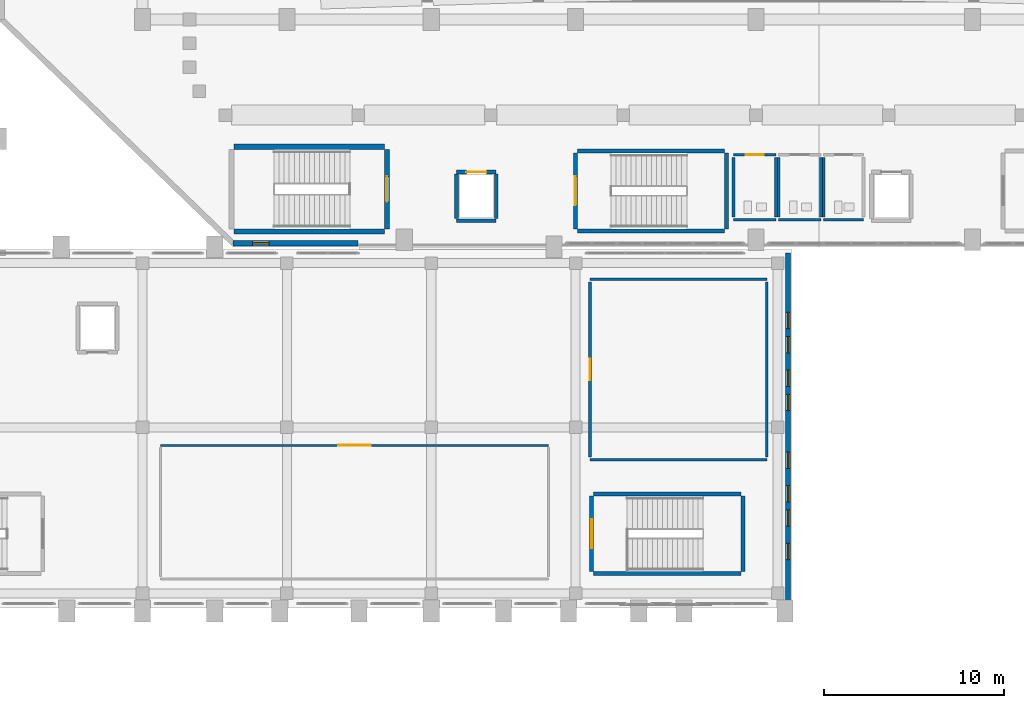
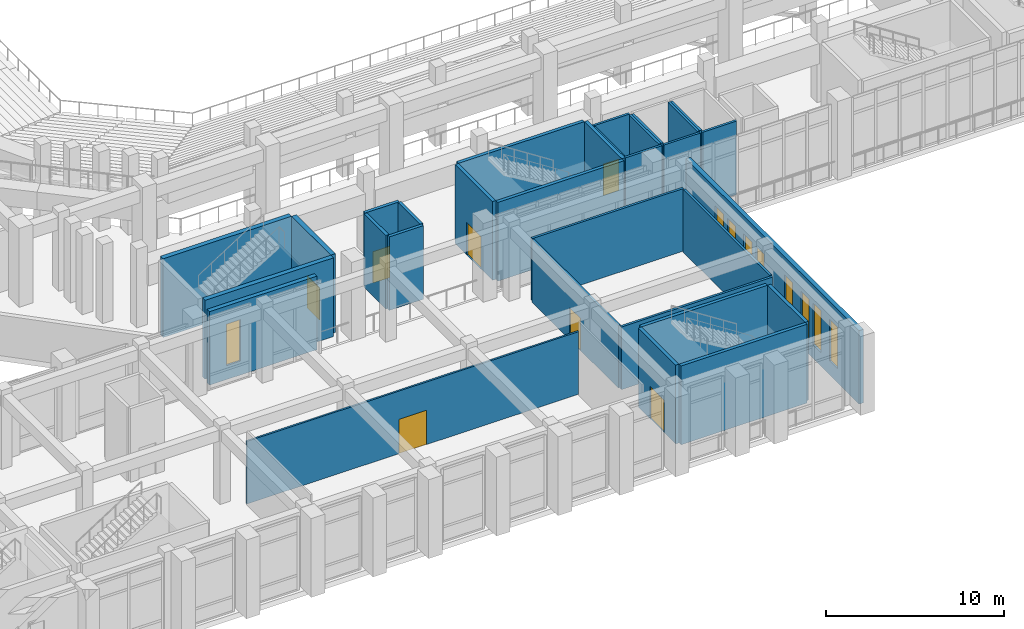
# One storey, part 125 of 159: 31 walls, 9 windows, 7 doors, 16 openings.
"""IFC4 building model written with IfcOpenShell, lengths in metres."""

from ifc_helpers import new_model, si_unit, derived_unit, direction, frame, frame_2d, origin, place, context, subcontext, project, spatial, rectangle, extrude, material, layer, layer_set, type_object, element, fill, save


model = new_model("IFC4")

# Units and contexts
model_context = context("Model", 3, precision=1e-05, world=origin(), true_north=direction((0.0, 1.0)))
body_context = subcontext(model_context, "Body", "Model", "MODEL_VIEW")
ifc_project = project(units=[si_unit("LENGTHUNIT", "METRE"), si_unit("AREAUNIT", "SQUARE_METRE"), si_unit("VOLUMEUNIT", "CUBIC_METRE"), si_unit("PLANEANGLEUNIT", "RADIAN"), si_unit("MASSUNIT", "GRAM", prefix="KILO"), derived_unit("THERMALTRANSMITTANCEUNIT", [(si_unit("MASSUNIT", "GRAM", prefix="KILO"), 1), (si_unit("TIMEUNIT", "SECOND"), -3), (si_unit("THERMODYNAMICTEMPERATUREUNIT", "KELVIN"), -1)])], contexts=[model_context])

# Site, building, storey
site_placement = place(None, origin())
site = spatial("IfcSite", under=ifc_project, at=site_placement, CompositionType="ELEMENT")
building_placement = place(site_placement, origin())
building = spatial("IfcBuilding", under=site, at=building_placement, Name="Valcora Ridge Arena", CompositionType="ELEMENT")
storey_placement = place(building_placement, frame((0.0, 0.0, 6.0)))
storey = spatial("IfcBuildingStorey", under=building, at=storey_placement, Name="L01", CompositionType="ELEMENT", Elevation=6.0)

# Wall, opening, window
ifc_material_1 = material(Name="Bush-hammered Andean travertine on concrete backup C40/50", Category="masonry")
ifc_layer_1 = layer(ifc_material_1, 0.280029296875, Name="Bush-hammered Andean travertine on concrete backup C40/50")
ifc_layer_set_1 = layer_set([ifc_layer_1], Name="Bush-hammered Andean travertine on concrete backup C40/50")
wall_type_1 = type_object("IfcWallType", Name="TY-WALL-EW-TRV-28-50", PredefinedType="STANDARD", material=ifc_layer_set_1)
wall_1_placement = place(storey_placement, frame((29.0, 20.199951171875, 0.0), z_axis=(0.0, 0.0, 1.0), x_axis=(1.0, 0.0, 0.0)))
wall_1 = element("IfcWall", 1, at=wall_1_placement, inside=storey, type_object=wall_type_1, Name="EW-TRV-28-50 WAL-EW-0042", PredefinedType="STANDARD", context=body_context, shape_type="SweptSolid", body=[
    extrude(rectangle(XDim=6.949951171875, YDim=0.280029296875, at=frame_2d((3.47509765625, 0.0))), origin(), (0.0, 0.0, 1.0), 5.0400390625),
])
opening_1_placement = place(wall_1_placement, frame((1.10009765625, 0.0, 0.949951171875)))
opening_1 = element("IfcOpeningElement", 2, at=opening_1_placement, cuts=wall_1, Name="Opening W-GLAN-90X285", PredefinedType="OPENING", context=body_context, shape_type="SweptSolid", body=[
    extrude(rectangle(XDim=0.89990234375, YDim=2.85009765625, at=frame_2d((0.449951171875, 1.425048828125))), frame((0.0, 0.14990234375, 0.0), z_axis=(0.0, -1.0, 0.0), x_axis=(1.0, 0.0, 0.0)), (0.0, 0.0, 1.0), 0.300048828125),
])
ifc_material_2 = material(Name="Low-iron solar-control double glazing SHGC 0.28", Category="glass")
window_type = type_object("IfcWindowType", Name="TY-WINDOW-W-GLAN-90X285", PartitioningType="DOUBLE_PANEL_VERTICAL", PredefinedType="WINDOW", material=ifc_material_2)
window_1_placement = place(opening_1_placement, origin())
window_1 = element("IfcWindow", 3, at=window_1_placement, inside=storey, type_object=window_type, Name="W-GLAN-90X285 WIN-EX-0088", OverallHeight=2.85009765625, OverallWidth=0.89990234375, PartitioningType="DOUBLE_PANEL_VERTICAL", PredefinedType="WINDOW", context=body_context, shape_type="SweptSolid", body=[
    extrude(rectangle(XDim=0.89990234375, YDim=2.85009765625, at=frame_2d((0.449951171875, 1.425048828125))), frame((0.0, 0.030029296875, 0.0), z_axis=(0.0, -1.0, 0.0), x_axis=(1.0, 0.0, 0.0)), (0.0, 0.0, 1.0), 0.06005859375),
])
fill(opening_1, window_1)

# Wall, openings, windows
wall_2_placement = place(storey_placement, frame((59.780029296875, 0.219970703125, 0.0), z_axis=(0.0, 0.0, 1.0), x_axis=(0.0, 1.0, 0.0)))
wall_2 = element("IfcWall", 4, at=wall_2_placement, inside=storey, type_object=wall_type_1, Name="EW-TRV-28-50 WAL-EW-0079", PredefinedType="STANDARD", context=body_context, shape_type="SweptSolid", body=[
    extrude(rectangle(XDim=19.429931640625, YDim=0.280029296875, at=frame_2d((9.71484375, 0.0))), origin(), (0.0, 0.0, 1.0), 5.0400390625),
])
opening_2_placement = place(wall_2_placement, frame((2.449951171875, 0.0, 0.949951171875)))
opening_2 = element("IfcOpeningElement", 5, at=opening_2_placement, cuts=wall_2, Name="Opening W-GLAN-90X285", PredefinedType="OPENING", context=body_context, shape_type="SweptSolid", body=[
    extrude(rectangle(XDim=0.89990234375, YDim=2.85009765625, at=frame_2d((0.449951171875, 1.425048828125))), frame((0.0, 0.14990234375, 0.0), z_axis=(0.0, -1.0, 0.0), x_axis=(1.0, 0.0, 0.0)), (0.0, 0.0, 1.0), 0.300048828125),
])
opening_3_placement = place(wall_2_placement, frame((4.300048828125, 0.0, 0.949951171875)))
opening_3 = element("IfcOpeningElement", 6, at=opening_3_placement, cuts=wall_2, Name="Opening W-GLAN-90X285", PredefinedType="OPENING", context=body_context, shape_type="SweptSolid", body=[
    extrude(rectangle(XDim=0.89990234375, YDim=2.85009765625, at=frame_2d((0.449951171875, 1.425048828125))), frame((0.0, 0.14990234375, 0.0), z_axis=(0.0, -1.0, 0.0), x_axis=(1.0, 0.0, 0.0)), (0.0, 0.0, 1.0), 0.300048828125),
])
opening_4_placement = place(wall_2_placement, frame((5.64990234375, 0.0, 0.949951171875)))
opening_4 = element("IfcOpeningElement", 7, at=opening_4_placement, cuts=wall_2, Name="Opening W-GLAN-90X285", PredefinedType="OPENING", context=body_context, shape_type="SweptSolid", body=[
    extrude(rectangle(XDim=0.89990234375, YDim=2.85009765625, at=frame_2d((0.449951171875, 1.425048828125))), frame((0.0, 0.14990234375, 0.0), z_axis=(0.0, -1.0, 0.0), x_axis=(1.0, 0.0, 0.0)), (0.0, 0.0, 1.0), 0.300048828125),
])
opening_5_placement = place(wall_2_placement, frame((7.5, 0.0, 0.949951171875)))
opening_5 = element("IfcOpeningElement", 8, at=opening_5_placement, cuts=wall_2, Name="Opening W-GLAN-90X285", PredefinedType="OPENING", context=body_context, shape_type="SweptSolid", body=[
    extrude(rectangle(XDim=0.89990234375, YDim=2.85009765625, at=frame_2d((0.449951171875, 1.425048828125))), frame((0.0, 0.14990234375, 0.0), z_axis=(0.0, -1.0, 0.0), x_axis=(1.0, 0.0, 0.0)), (0.0, 0.0, 1.0), 0.300048828125),
])
opening_6_placement = place(wall_2_placement, frame((10.699951171875, 0.0, 0.949951171875)))
opening_6 = element("IfcOpeningElement", 9, at=opening_6_placement, cuts=wall_2, Name="Opening W-GLAN-90X285", PredefinedType="OPENING", context=body_context, shape_type="SweptSolid", body=[
    extrude(rectangle(XDim=0.89990234375, YDim=2.85009765625, at=frame_2d((0.449951171875, 1.425048828125))), frame((0.0, 0.14990234375, 0.0), z_axis=(0.0, -1.0, 0.0), x_axis=(1.0, 0.0, 0.0)), (0.0, 0.0, 1.0), 0.300048828125),
])
opening_7_placement = place(wall_2_placement, frame((12.050048828125, 0.0, 0.949951171875)))
opening_7 = element("IfcOpeningElement", 10, at=opening_7_placement, cuts=wall_2, Name="Opening W-GLAN-90X285", PredefinedType="OPENING", context=body_context, shape_type="SweptSolid", body=[
    extrude(rectangle(XDim=0.89990234375, YDim=2.85009765625, at=frame_2d((0.449951171875, 1.425048828125))), frame((0.0, 0.14990234375, 0.0), z_axis=(0.0, -1.0, 0.0), x_axis=(1.0, 0.0, 0.0)), (0.0, 0.0, 1.0), 0.300048828125),
])
opening_8_placement = place(wall_2_placement, frame((13.89990234375, 0.0, 0.949951171875)))
opening_8 = element("IfcOpeningElement", 11, at=opening_8_placement, cuts=wall_2, Name="Opening W-GLAN-90X285", PredefinedType="OPENING", context=body_context, shape_type="SweptSolid", body=[
    extrude(rectangle(XDim=0.89990234375, YDim=2.85009765625, at=frame_2d((0.449951171875, 1.425048828125))), frame((0.0, 0.14990234375, 0.0), z_axis=(0.0, -1.0, 0.0), x_axis=(1.0, 0.0, 0.0)), (0.0, 0.0, 1.0), 0.300048828125),
])
opening_9_placement = place(wall_2_placement, frame((15.25, 0.0, 0.949951171875)))
opening_9 = element("IfcOpeningElement", 12, at=opening_9_placement, cuts=wall_2, Name="Opening W-GLAN-90X285", PredefinedType="OPENING", context=body_context, shape_type="SweptSolid", body=[
    extrude(rectangle(XDim=0.89990234375, YDim=2.85009765625, at=frame_2d((0.449951171875, 1.425048828125))), frame((0.0, 0.14990234375, 0.0), z_axis=(0.0, -1.0, 0.0), x_axis=(1.0, 0.0, 0.0)), (0.0, 0.0, 1.0), 0.300048828125),
])
window_2_placement = place(opening_2_placement, origin())
window_2 = element("IfcWindow", 13, at=window_2_placement, inside=storey, type_object=window_type, Name="W-GLAN-90X285 WIN-EX-0214", OverallHeight=2.85009765625, OverallWidth=0.89990234375, PartitioningType="DOUBLE_PANEL_VERTICAL", PredefinedType="WINDOW", context=body_context, shape_type="SweptSolid", body=[
    extrude(rectangle(XDim=0.89990234375, YDim=2.85009765625, at=frame_2d((0.449951171875, 1.425048828125))), frame((0.0, 0.030029296875, 0.0), z_axis=(0.0, -1.0, 0.0), x_axis=(1.0, 0.0, 0.0)), (0.0, 0.0, 1.0), 0.06005859375),
])
fill(opening_2, window_2)
window_3_placement = place(opening_3_placement, origin())
window_3 = element("IfcWindow", 14, at=window_3_placement, inside=storey, type_object=window_type, Name="W-GLAN-90X285 WIN-EX-0215", OverallHeight=2.85009765625, OverallWidth=0.89990234375, PartitioningType="DOUBLE_PANEL_VERTICAL", PredefinedType="WINDOW", context=body_context, shape_type="SweptSolid", body=[
    extrude(rectangle(XDim=0.89990234375, YDim=2.85009765625, at=frame_2d((0.449951171875, 1.425048828125))), frame((0.0, 0.030029296875, 0.0), z_axis=(0.0, -1.0, 0.0), x_axis=(1.0, 0.0, 0.0)), (0.0, 0.0, 1.0), 0.06005859375),
])
fill(opening_3, window_3)
window_4_placement = place(opening_4_placement, origin())
window_4 = element("IfcWindow", 15, at=window_4_placement, inside=storey, type_object=window_type, Name="W-GLAN-90X285 WIN-EX-0216", OverallHeight=2.85009765625, OverallWidth=0.89990234375, PartitioningType="DOUBLE_PANEL_VERTICAL", PredefinedType="WINDOW", context=body_context, shape_type="SweptSolid", body=[
    extrude(rectangle(XDim=0.89990234375, YDim=2.85009765625, at=frame_2d((0.449951171875, 1.425048828125))), frame((0.0, 0.030029296875, 0.0), z_axis=(0.0, -1.0, 0.0), x_axis=(1.0, 0.0, 0.0)), (0.0, 0.0, 1.0), 0.06005859375),
])
fill(opening_4, window_4)
window_5_placement = place(opening_5_placement, origin())
window_5 = element("IfcWindow", 16, at=window_5_placement, inside=storey, type_object=window_type, Name="W-GLAN-90X285 WIN-EX-0217", OverallHeight=2.85009765625, OverallWidth=0.89990234375, PartitioningType="DOUBLE_PANEL_VERTICAL", PredefinedType="WINDOW", context=body_context, shape_type="SweptSolid", body=[
    extrude(rectangle(XDim=0.89990234375, YDim=2.85009765625, at=frame_2d((0.449951171875, 1.425048828125))), frame((0.0, 0.030029296875, 0.0), z_axis=(0.0, -1.0, 0.0), x_axis=(1.0, 0.0, 0.0)), (0.0, 0.0, 1.0), 0.06005859375),
])
fill(opening_5, window_5)
window_6_placement = place(opening_6_placement, origin())
window_6 = element("IfcWindow", 17, at=window_6_placement, inside=storey, type_object=window_type, Name="W-GLAN-90X285 WIN-EX-0218", OverallHeight=2.85009765625, OverallWidth=0.89990234375, PartitioningType="DOUBLE_PANEL_VERTICAL", PredefinedType="WINDOW", context=body_context, shape_type="SweptSolid", body=[
    extrude(rectangle(XDim=0.89990234375, YDim=2.85009765625, at=frame_2d((0.449951171875, 1.425048828125))), frame((0.0, 0.030029296875, 0.0), z_axis=(0.0, -1.0, 0.0), x_axis=(1.0, 0.0, 0.0)), (0.0, 0.0, 1.0), 0.06005859375),
])
fill(opening_6, window_6)
window_7_placement = place(opening_7_placement, origin())
window_7 = element("IfcWindow", 18, at=window_7_placement, inside=storey, type_object=window_type, Name="W-GLAN-90X285 WIN-EX-0219", OverallHeight=2.85009765625, OverallWidth=0.89990234375, PartitioningType="DOUBLE_PANEL_VERTICAL", PredefinedType="WINDOW", context=body_context, shape_type="SweptSolid", body=[
    extrude(rectangle(XDim=0.89990234375, YDim=2.85009765625, at=frame_2d((0.449951171875, 1.425048828125))), frame((0.0, 0.030029296875, 0.0), z_axis=(0.0, -1.0, 0.0), x_axis=(1.0, 0.0, 0.0)), (0.0, 0.0, 1.0), 0.06005859375),
])
fill(opening_7, window_7)
window_8_placement = place(opening_8_placement, origin())
window_8 = element("IfcWindow", 19, at=window_8_placement, inside=storey, type_object=window_type, Name="W-GLAN-90X285 WIN-EX-0220", OverallHeight=2.85009765625, OverallWidth=0.89990234375, PartitioningType="DOUBLE_PANEL_VERTICAL", PredefinedType="WINDOW", context=body_context, shape_type="SweptSolid", body=[
    extrude(rectangle(XDim=0.89990234375, YDim=2.85009765625, at=frame_2d((0.449951171875, 1.425048828125))), frame((0.0, 0.030029296875, 0.0), z_axis=(0.0, -1.0, 0.0), x_axis=(1.0, 0.0, 0.0)), (0.0, 0.0, 1.0), 0.06005859375),
])
fill(opening_8, window_8)
window_9_placement = place(opening_9_placement, origin())
window_9 = element("IfcWindow", 20, at=window_9_placement, inside=storey, type_object=window_type, Name="W-GLAN-90X285 WIN-EX-0221", OverallHeight=2.85009765625, OverallWidth=0.89990234375, PartitioningType="DOUBLE_PANEL_VERTICAL", PredefinedType="WINDOW", context=body_context, shape_type="SweptSolid", body=[
    extrude(rectangle(XDim=0.89990234375, YDim=2.85009765625, at=frame_2d((0.449951171875, 1.425048828125))), frame((0.0, 0.030029296875, 0.0), z_axis=(0.0, -1.0, 0.0), x_axis=(1.0, 0.0, 0.0)), (0.0, 0.0, 1.0), 0.06005859375),
])
fill(opening_9, window_9)

# Wall
ifc_material_3 = material(Name="Fire-rated masonry-core compartment wall C35/45 150 mm", Category="masonry")
ifc_layer_2 = layer(ifc_material_3, 0.14990234375, Name="Fire-rated masonry-core compartment wall C35/45 150 mm")
ifc_layer_set_2 = layer_set([ifc_layer_2], Name="Fire-rated masonry-core compartment wall C35/45 150 mm")
wall_type_2 = type_object("IfcWallType", Name="TY-WALL-IW-COMP-150", PredefinedType="STANDARD", material=ifc_layer_set_2)
wall_3_placement = place(storey_placement, frame((56.75, 21.5, 0.0), z_axis=(0.0, 0.0, 1.0), x_axis=(1.0, 0.0, 0.0)))
element("IfcWall", 21, at=wall_3_placement, inside=storey, type_object=wall_type_2, Name="IW-COMP-150 WAL-IN-0083", PredefinedType="STANDARD", context=body_context, shape_type="SweptSolid", body=[
    extrude(rectangle(XDim=2.35009765625, YDim=0.14990234375, at=frame_2d((1.175048828125, 0.0))), origin(), (0.0, 0.0, 1.0), 5.0400390625),
])

# Wall, opening, door
wall_4_placement = place(storey_placement, frame((56.75, 25.10009765625, 0.0), z_axis=(0.0, 0.0, 1.0), x_axis=(1.0, 0.0, 0.0)))
wall_4 = element("IfcWall", 22, at=wall_4_placement, inside=storey, type_object=wall_type_2, Name="IW-COMP-150 WAL-IN-0084", PredefinedType="STANDARD", context=body_context, shape_type="SweptSolid", body=[
    extrude(rectangle(XDim=2.35009765625, YDim=0.14990234375, at=frame_2d((1.175048828125, 0.0))), origin(), (0.0, 0.0, 1.0), 5.0400390625),
])
opening_10_placement = place(wall_4_placement, frame((0.675048828125, 0.0, 0.0)))
opening_10 = element("IfcOpeningElement", 23, at=opening_10_placement, cuts=wall_4, Name="Opening D-WC-1000", PredefinedType="OPENING", context=body_context, shape_type="SweptSolid", body=[
    extrude(rectangle(XDim=1.0, YDim=2.14990234375, at=frame_2d((0.5, 1.074951171875))), frame((0.0, 0.0849609375, 0.0), z_axis=(0.0, -1.0, 0.0), x_axis=(1.0, 0.0, 0.0)), (0.0, 0.0, 1.0), 0.169921875),
])
ifc_material_4 = material(Name="Insulated fire-rated steel door leaf", Category="steel")
door_type_1 = type_object("IfcDoorType", Name="TY-DOOR-D-WC-1000", OperationType="NOTDEFINED", PredefinedType="DOOR", material=ifc_material_4)
door_1_placement = place(opening_10_placement, origin())
door_1 = element("IfcDoor", 24, at=door_1_placement, inside=storey, type_object=door_type_1, Name="D-WC-1000 DOR-IN-0025", OperationType="SINGLE_SWING_LEFT", OverallHeight=2.14990234375, OverallWidth=1.0, PredefinedType="DOOR", context=body_context, shape_type="SweptSolid", body=[
    extrude(rectangle(XDim=1.0, YDim=2.14990234375, at=frame_2d((0.5, 1.074951171875))), frame((0.0, 0.02490234375, 0.0), z_axis=(0.0, -1.0, 0.0), x_axis=(1.0, 0.0, 0.0)), (0.0, 0.0, 1.0), 0.050048828125),
])
fill(opening_10, door_1)

# Walls
for number, where, z_axis, x_axis, name in (
    (25, (56.75, 21.64990234375, 0.0), (0.0, 0.0, 1.0), (0.0, 1.0, 0.0), "IW-COMP-150 WAL-IN-0085"),
    (26, (59.10009765625, 21.64990234375, 0.0), (0.0, 0.0, 1.0), (0.0, 1.0, 0.0), "IW-COMP-150 WAL-IN-0086"),
):
    element("IfcWall", number, at=place(storey_placement, frame(where, z_axis=z_axis, x_axis=x_axis)), inside=storey, type_object=wall_type_2, Name=name, PredefinedType="STANDARD", context=body_context, shape_type="SweptSolid", body=[
        extrude(rectangle(XDim=3.300048828125, YDim=0.14990234375, at=frame_2d((1.64990234375, 0.0))), origin(), (0.0, 0.0, 1.0), 5.0400390625),
    ])
wall_5_placement = place(storey_placement, frame((59.25, 21.5, 0.0), z_axis=(0.0, 0.0, 1.0), x_axis=(1.0, 0.0, 0.0)))
element("IfcWall", 27, at=wall_5_placement, inside=storey, type_object=wall_type_2, Name="IW-COMP-150 WAL-IN-0087", PredefinedType="STANDARD", context=body_context, shape_type="SweptSolid", body=[
    extrude(rectangle(XDim=2.35009765625, YDim=0.14990234375, at=frame_2d((1.175048828125, 0.0))), origin(), (0.0, 0.0, 1.0), 5.0400390625),
])
for number, where, z_axis, x_axis, name in (
    (28, (59.25, 21.64990234375, 0.0), (0.0, 0.0, 1.0), (0.0, 1.0, 0.0), "IW-COMP-150 WAL-IN-0089"),
    (29, (61.60009765625, 21.64990234375, 0.0), (0.0, 0.0, 1.0), (0.0, 1.0, 0.0), "IW-COMP-150 WAL-IN-0090"),
):
    element("IfcWall", number, at=place(storey_placement, frame(where, z_axis=z_axis, x_axis=x_axis)), inside=storey, type_object=wall_type_2, Name=name, PredefinedType="STANDARD", context=body_context, shape_type="SweptSolid", body=[
        extrude(rectangle(XDim=3.300048828125, YDim=0.14990234375, at=frame_2d((1.64990234375, 0.0))), origin(), (0.0, 0.0, 1.0), 5.0400390625),
    ])
wall_6_placement = place(storey_placement, frame((61.75, 21.5, 0.0), z_axis=(0.0, 0.0, 1.0), x_axis=(1.0, 0.0, 0.0)))
element("IfcWall", 30, at=wall_6_placement, inside=storey, type_object=wall_type_2, Name="IW-COMP-150 WAL-IN-0091", PredefinedType="STANDARD", context=body_context, shape_type="SweptSolid", body=[
    extrude(rectangle(XDim=2.199951171875, YDim=0.14990234375, at=frame_2d((1.10009765625, 0.0))), origin(), (0.0, 0.0, 1.0), 5.0400390625),
])
wall_7_placement = place(storey_placement, frame((61.75, 21.64990234375, 0.0), z_axis=(0.0, 0.0, 1.0), x_axis=(0.0, 1.0, 0.0)))
element("IfcWall", 31, at=wall_7_placement, inside=storey, type_object=wall_type_2, Name="IW-COMP-150 WAL-IN-0093", PredefinedType="STANDARD", context=body_context, shape_type="SweptSolid", body=[
    extrude(rectangle(XDim=3.300048828125, YDim=0.14990234375, at=frame_2d((1.64990234375, 0.0))), origin(), (0.0, 0.0, 1.0), 5.0400390625),
])
for number, where, z_axis, x_axis, name in (
    (32, (48.800048828125, 8.199951171875, 0.0), (0.0, 0.0, 1.0), (1.0, 0.0, 0.0), "IW-COMP-150 WAL-IN-0321"),
    (33, (48.800048828125, 18.199951171875, 0.0), (0.0, 0.0, 1.0), (1.0, 0.0, 0.0), "IW-COMP-150 WAL-IN-0322"),
):
    element("IfcWall", number, at=place(storey_placement, frame(where, z_axis=z_axis, x_axis=x_axis)), inside=storey, type_object=wall_type_2, Name=name, PredefinedType="STANDARD", context=body_context, shape_type="SweptSolid", body=[
        extrude(rectangle(XDim=9.800048828125, YDim=0.14990234375, at=frame_2d((4.89990234375, 0.0))), origin(), (0.0, 0.0, 1.0), 4.2900390625),
    ])

# Wall, opening, door
wall_8_placement = place(storey_placement, frame((48.800048828125, 8.35009765625, 0.0), z_axis=(0.0, 0.0, 1.0), x_axis=(0.0, 1.0, 0.0)))
wall_8 = element("IfcWall", 34, at=wall_8_placement, inside=storey, type_object=wall_type_2, Name="IW-COMP-150 WAL-IN-0323", PredefinedType="STANDARD", context=body_context, shape_type="SweptSolid", body=[
    extrude(rectangle(XDim=9.699951171875, YDim=0.14990234375, at=frame_2d((4.85009765625, 0.0))), origin(), (0.0, 0.0, 1.0), 4.2900390625),
])
opening_11_placement = place(wall_8_placement, frame((4.25, 0.0, 0.0)))
opening_11 = element("IfcOpeningElement", 35, at=opening_11_placement, cuts=wall_8, Name="Opening FD-KIT-1200", PredefinedType="OPENING", context=body_context, shape_type="SweptSolid", body=[
    extrude(rectangle(XDim=1.199951171875, YDim=2.199951171875, at=frame_2d((0.60009765625, 1.10009765625))), frame((0.0, 0.0849609375, 0.0), z_axis=(0.0, -1.0, 0.0), x_axis=(1.0, 0.0, 0.0)), (0.0, 0.0, 1.0), 0.169921875),
])
door_type_2 = type_object("IfcDoorType", Name="TY-DOOR-FD-KIT-1200", OperationType="NOTDEFINED", PredefinedType="DOOR", material=ifc_material_4)
door_2_placement = place(opening_11_placement, origin())
door_2 = element("IfcDoor", 36, at=door_2_placement, inside=storey, type_object=door_type_2, Name="FD-KIT-1200 DOR-IN-0085", OperationType="SINGLE_SWING_LEFT", OverallHeight=2.199951171875, OverallWidth=1.199951171875, PredefinedType="DOOR", context=body_context, shape_type="SweptSolid", body=[
    extrude(rectangle(XDim=1.199951171875, YDim=2.199951171875, at=frame_2d((0.60009765625, 1.10009765625))), frame((0.0, 0.02490234375, 0.0), z_axis=(0.0, -1.0, 0.0), x_axis=(1.0, 0.0, 0.0)), (0.0, 0.0, 1.0), 0.050048828125),
])
fill(opening_11, door_2)

# Wall
wall_9_placement = place(storey_placement, frame((58.60009765625, 8.35009765625, 0.0), z_axis=(0.0, 0.0, 1.0), x_axis=(0.0, 1.0, 0.0)))
element("IfcWall", 37, at=wall_9_placement, inside=storey, type_object=wall_type_2, Name="IW-COMP-150 WAL-IN-0324", PredefinedType="STANDARD", context=body_context, shape_type="SweptSolid", body=[
    extrude(rectangle(XDim=9.699951171875, YDim=0.14990234375, at=frame_2d((4.85009765625, 0.0))), origin(), (0.0, 0.0, 1.0), 4.2900390625),
])

# Wall, opening, door
ifc_material_5 = material(Name="Acoustic metal-stud gypsum partition 120 mm")
ifc_layer_3 = layer(ifc_material_5, 0.1201171875, Name="Acoustic metal-stud gypsum partition 120 mm")
ifc_layer_set_3 = layer_set([ifc_layer_3], Name="Acoustic metal-stud gypsum partition 120 mm")
wall_type_3 = type_object("IfcWallType", Name="TY-WALL-IW-PART-120", PredefinedType="PARTITIONING", material=ifc_layer_set_3)
wall_10_placement = place(storey_placement, frame((25.0, 9.0, 0.0), z_axis=(0.0, 0.0, 1.0), x_axis=(1.0, 0.0, 0.0)))
wall_10 = element("IfcWall", 38, at=wall_10_placement, inside=storey, type_object=wall_type_3, Name="IW-PART-120 WAL-IN-0318", PredefinedType="PARTITIONING", context=body_context, shape_type="SweptSolid", body=[
    extrude(rectangle(XDim=21.5, YDim=0.1201171875, at=frame_2d((10.75, 0.0))), origin(), (0.0, 0.0, 1.0), 4.2900390625),
])
opening_12_placement = place(wall_10_placement, frame((9.85009765625, 0.0, 0.0)))
opening_12 = element("IfcOpeningElement", 39, at=opening_12_placement, cuts=wall_10, Name="Opening D-PUB-1800", PredefinedType="OPENING", context=body_context, shape_type="SweptSolid", body=[
    extrude(rectangle(XDim=1.800048828125, YDim=2.35009765625, at=frame_2d((0.89990234375, 1.175048828125))), frame((0.0, 0.070068359375, 0.0), z_axis=(0.0, -1.0, 0.0), x_axis=(1.0, 0.0, 0.0)), (0.0, 0.0, 1.0), 0.14013671875),
])
ifc_material_6 = material(Name="Solid-core acoustic timber veneer door leaf", Category="wood")
door_type_3 = type_object("IfcDoorType", Name="TY-DOOR-D-PUB-1800", OperationType="NOTDEFINED", PredefinedType="DOOR", material=ifc_material_6)
door_3_placement = place(opening_12_placement, origin())
door_3 = element("IfcDoor", 40, at=door_3_placement, inside=storey, type_object=door_type_3, Name="D-PUB-1800 DOR-IN-0084", OperationType="DOUBLE_DOOR_SINGLE_SWING", OverallHeight=2.35009765625, OverallWidth=1.800048828125, PredefinedType="DOOR", context=body_context, shape_type="SweptSolid", body=[
    extrude(rectangle(XDim=1.800048828125, YDim=2.35009765625, at=frame_2d((0.89990234375, 1.175048828125))), frame((0.0, 0.02490234375, 0.0), z_axis=(0.0, -1.0, 0.0), x_axis=(1.0, 0.0, 0.0)), (0.0, 0.0, 1.0), 0.050048828125),
])
fill(opening_12, door_3)

# Wall
ifc_material_7 = material(Name="Concrete C40/50", Category="concrete")
ifc_layer_4 = layer(ifc_material_7, 0.199951171875, Name="Concrete C40/50")
ifc_layer_set_4 = layer_set([ifc_layer_4], Name="Concrete C40/50")
wall_type_4 = type_object("IfcWallType", Name="TY-WALL-IW-SHF-200", PredefinedType="STANDARD", material=ifc_layer_set_4)
wall_11_placement = place(storey_placement, frame((41.39990234375, 21.449951171875, 0.0), z_axis=(0.0, 0.0, 1.0), x_axis=(1.0, 0.0, 0.0)))
element("IfcWall", 41, at=wall_11_placement, inside=storey, type_object=wall_type_4, Name="IW-SHF-200 WAL-SH-0065", PredefinedType="STANDARD", context=body_context, shape_type="SweptSolid", body=[
    extrude(rectangle(XDim=2.2001953125, YDim=0.199951171875, at=frame_2d((1.10009765625, 0.0))), origin(), (0.0, 0.0, 1.0), 5.0400390625),
])

# Wall, opening, door
wall_12_placement = place(storey_placement, frame((41.39990234375, 24.14990234375, 0.0), z_axis=(0.0, 0.0, 1.0), x_axis=(1.0, 0.0, 0.0)))
wall_12 = element("IfcWall", 42, at=wall_12_placement, inside=storey, type_object=wall_type_4, Name="IW-SHF-200 WAL-SH-0066", PredefinedType="STANDARD", context=body_context, shape_type="SweptSolid", body=[
    extrude(rectangle(XDim=2.2001953125, YDim=0.199951171875, at=frame_2d((1.10009765625, 0.0))), origin(), (0.0, 0.0, 1.0), 5.0400390625),
])
opening_13_placement = place(wall_12_placement, frame((0.550048828125, 0.0, 0.0)))
opening_13 = element("IfcOpeningElement", 43, at=opening_13_placement, cuts=wall_12, Name="Opening LD-PAX", PredefinedType="OPENING", context=body_context, shape_type="SweptSolid", body=[
    extrude(rectangle(XDim=1.10009765625, YDim=2.14990234375, at=frame_2d((0.550048828125, 1.074951171875))), frame((0.0, 0.10986328125, 0.0), z_axis=(0.0, -1.0, 0.0), x_axis=(1.0, 0.0, 0.0)), (0.0, 0.0, 1.0), 0.219970703125),
])
ifc_material_8 = material(Name="Insulated fire-rated hollow metal steel", Category="steel")
door_type_4 = type_object("IfcDoorType", Name="TY-DOOR-LD-PAX", OperationType="NOTDEFINED", PredefinedType="DOOR", material=ifc_material_8)
door_4_placement = place(opening_13_placement, origin())
door_4 = element("IfcDoor", 44, at=door_4_placement, inside=storey, type_object=door_type_4, Name="PL1 Landing Door L01", OperationType="SLIDING_TO_LEFT", OverallHeight=2.14990234375, OverallWidth=1.10009765625, PredefinedType="DOOR", context=body_context, shape_type="SweptSolid", body=[
    extrude(rectangle(XDim=1.10009765625, YDim=2.14990234375, at=frame_2d((0.550048828125, 1.074951171875))), frame((0.0, 0.02490234375, 0.0), z_axis=(0.0, -1.0, 0.0), x_axis=(1.0, 0.0, 0.0)), (0.0, 0.0, 1.0), 0.050048828125),
])
fill(opening_13, door_4)

# Walls
for number, where, z_axis, x_axis, name in (
    (45, (41.39990234375, 21.570068359375, 0.0), (0.0, 0.0, 1.0), (0.0, 1.0, 0.0), "IW-SHF-200 WAL-SH-0067"),
    (46, (43.60009765625, 21.570068359375, 0.0), (0.0, 0.0, 1.0), (0.0, 1.0, 0.0), "IW-SHF-200 WAL-SH-0068"),
):
    element("IfcWall", number, at=place(storey_placement, frame(where, z_axis=z_axis, x_axis=x_axis)), inside=storey, type_object=wall_type_4, Name=name, PredefinedType="STANDARD", context=body_context, shape_type="SweptSolid", body=[
        extrude(rectangle(XDim=2.4599609375, YDim=0.199951171875, at=frame_2d((1.22998046875, 0.0))), origin(), (0.0, 0.0, 1.0), 5.0400390625),
    ])
ifc_material_9 = material(Name="Concrete C45/55", Category="concrete")
ifc_layer_5 = layer(ifc_material_9, 0.300048828125, Name="Concrete C45/55")
ifc_layer_set_5 = layer_set([ifc_layer_5], Name="Concrete C45/55")
wall_type_5 = type_object("IfcWallType", Name="TY-WALL-SW-C300-L", PredefinedType="SHEAR", material=ifc_layer_set_5)
for number, where, z_axis, x_axis, name in (
    (47, (29.080078125, 20.85009765625, 0.0), (0.0, 0.0, 1.0), (1.0, 0.0, 0.0), "SW-C300-L WAL-CR-0009"),
    (48, (29.080078125, 25.550048828125, 0.0), (0.0, 0.0, 1.0), (1.0, 0.0, 0.0), "SW-C300-L WAL-CR-0010"),
):
    element("IfcWall", number, at=place(storey_placement, frame(where, z_axis=z_axis, x_axis=x_axis)), inside=storey, type_object=wall_type_5, Name=name, PredefinedType="SHEAR", context=body_context, shape_type="SweptSolid", body=[
        extrude(rectangle(XDim=8.31982421875, YDim=0.300048828125, at=frame_2d((4.159912109375, 0.0))), origin(), (0.0, 0.0, 1.0), 5.39990234375),
    ])

# Wall, opening, door
ifc_layer_6 = layer(ifc_material_9, 0.300048828125, Name="Concrete C45/55")
ifc_layer_set_6 = layer_set([ifc_layer_6], Name="Concrete C45/55")
wall_type_6 = type_object("IfcWallType", Name="TY-WALL-SW-C300-S", PredefinedType="SHEAR", material=ifc_layer_set_6)
wall_13_placement = place(storey_placement, frame((37.550048828125, 21.0, 0.0), z_axis=(0.0, 0.0, 1.0), x_axis=(0.0, 1.0, 0.0)))
wall_13 = element("IfcWall", 49, at=wall_13_placement, inside=storey, type_object=wall_type_6, Name="SW-C300-S WAL-CR-0012", PredefinedType="SHEAR", context=body_context, shape_type="SweptSolid", body=[
    extrude(rectangle(XDim=4.39990234375, YDim=0.300048828125, at=frame_2d((2.199951171875, 0.0))), origin(), (0.0, 0.0, 1.0), 5.39990234375),
])
opening_14_placement = place(wall_13_placement, frame((1.5, 0.0, 0.0)))
opening_14 = element("IfcOpeningElement", 50, at=opening_14_placement, cuts=wall_13, Name="Opening FD-01", PredefinedType="OPENING", context=body_context, shape_type="SweptSolid", body=[
    extrude(rectangle(XDim=1.39990234375, YDim=2.199951171875, at=frame_2d((0.699951171875, 1.10009765625))), frame((0.0, 0.159912109375, 0.0), z_axis=(0.0, -1.0, 0.0), x_axis=(1.0, 0.0, 0.0)), (0.0, 0.0, 1.0), 0.320068359375),
])
door_type_5 = type_object("IfcDoorType", Name="TY-DOOR-FD-01", OperationType="NOTDEFINED", PredefinedType="DOOR", material=ifc_material_4)
door_5_placement = place(opening_14_placement, origin())
door_5 = element("IfcDoor", 51, at=door_5_placement, inside=storey, type_object=door_type_5, Name="FD-01 DOR-ST-0003", OperationType="DOUBLE_DOOR_SINGLE_SWING", OverallHeight=2.199951171875, OverallWidth=1.39990234375, PredefinedType="DOOR", context=body_context, shape_type="SweptSolid", body=[
    extrude(rectangle(XDim=1.39990234375, YDim=2.199951171875, at=frame_2d((0.699951171875, 1.10009765625))), frame((0.0, 0.02490234375, 0.0), z_axis=(0.0, -1.0, 0.0), x_axis=(1.0, 0.0, 0.0)), (0.0, 0.0, 1.0), 0.050048828125),
])
fill(opening_14, door_5)

# Walls
ifc_material_10 = material(Name="Fire-resisting reinforced concrete enclosure C40/50 200 mm", Category="concrete")
ifc_layer_7 = layer(ifc_material_10, 0.219970703125, Name="Fire-resisting reinforced concrete enclosure C40/50 200 mm")
ifc_layer_set_7 = layer_set([ifc_layer_7], Name="Fire-resisting reinforced concrete enclosure C40/50 200 mm")
wall_type_7 = type_object("IfcWallType", Name="TY-WALL-SW-ES-220", PredefinedType="SHEAR", material=ifc_layer_set_7)
for number, where, z_axis, x_axis, name in (
    (52, (48.10009765625, 20.889892578125, 0.0), (0.0, 0.0, 1.0), (1.0, 0.0, 0.0), "SW-ES-220 WAL-ES-0009"),
    (53, (48.10009765625, 25.31005859375, 0.0), (0.0, 0.0, 1.0), (1.0, 0.0, 0.0), "SW-ES-220 WAL-ES-0010"),
):
    element("IfcWall", number, at=place(storey_placement, frame(where, z_axis=z_axis, x_axis=x_axis)), inside=storey, type_object=wall_type_7, Name=name, PredefinedType="SHEAR", context=body_context, shape_type="SweptSolid", body=[
        extrude(rectangle(XDim=8.159912109375, YDim=0.219970703125, at=frame_2d((4.080078125, 0.0))), origin(), (0.0, 0.0, 1.0), 5.39990234375),
    ])

# Wall, opening, door
wall_14_placement = place(storey_placement, frame((47.989990234375, 21.0, 0.0), z_axis=(0.0, 0.0, 1.0), x_axis=(0.0, 1.0, 0.0)))
wall_14 = element("IfcWall", 54, at=wall_14_placement, inside=storey, type_object=wall_type_7, Name="SW-ES-220 WAL-ES-0011", PredefinedType="SHEAR", context=body_context, shape_type="SweptSolid", body=[
    extrude(rectangle(XDim=4.199951171875, YDim=0.219970703125, at=frame_2d((2.10009765625, 0.0))), origin(), (0.0, 0.0, 1.0), 5.39990234375),
])
opening_15_placement = place(wall_14_placement, frame((1.300048828125, 0.0, 0.0)))
opening_15 = element("IfcOpeningElement", 55, at=opening_15_placement, cuts=wall_14, Name="Opening FD-02", PredefinedType="OPENING", context=body_context, shape_type="SweptSolid", body=[
    extrude(rectangle(XDim=1.60009765625, YDim=2.199951171875, at=frame_2d((0.800048828125, 1.10009765625))), frame((0.0, 0.119873046875, 0.0), z_axis=(0.0, -1.0, 0.0), x_axis=(1.0, 0.0, 0.0)), (0.0, 0.0, 1.0), 0.239990234375),
])
door_type_6 = type_object("IfcDoorType", Name="TY-DOOR-FD-02", OperationType="NOTDEFINED", PredefinedType="DOOR", material=ifc_material_4)
door_6_placement = place(opening_15_placement, origin())
door_6 = element("IfcDoor", 56, at=door_6_placement, inside=storey, type_object=door_type_6, Name="FD-02 DOR-ES-0002", OperationType="DOUBLE_DOOR_SINGLE_SWING", OverallHeight=2.199951171875, OverallWidth=1.60009765625, PredefinedType="DOOR", context=body_context, shape_type="SweptSolid", body=[
    extrude(rectangle(XDim=1.60009765625, YDim=2.199951171875, at=frame_2d((0.800048828125, 1.10009765625))), frame((0.0, 0.02490234375, 0.0), z_axis=(0.0, -1.0, 0.0), x_axis=(1.0, 0.0, 0.0)), (0.0, 0.0, 1.0), 0.050048828125),
])
fill(opening_15, door_6)

# Walls
wall_15_placement = place(storey_placement, frame((56.3701171875, 21.0, 0.0), z_axis=(0.0, 0.0, 1.0), x_axis=(0.0, 1.0, 0.0)))
element("IfcWall", 57, at=wall_15_placement, inside=storey, type_object=wall_type_7, Name="SW-ES-220 WAL-ES-0012", PredefinedType="SHEAR", context=body_context, shape_type="SweptSolid", body=[
    extrude(rectangle(XDim=4.199951171875, YDim=0.219970703125, at=frame_2d((2.10009765625, 0.0))), origin(), (0.0, 0.0, 1.0), 5.39990234375),
])
for number, where, z_axis, x_axis, name in (
    (58, (49.0, 1.889892578125, 0.0), (0.0, 0.0, 1.0), (1.0, 0.0, 0.0), "SW-ES-220 WAL-ES-0121"),
    (59, (49.0, 6.31005859375, 0.0), (0.0, 0.0, 1.0), (1.0, 0.0, 0.0), "SW-ES-220 WAL-ES-0122"),
):
    element("IfcWall", number, at=place(storey_placement, frame(where, z_axis=z_axis, x_axis=x_axis)), inside=storey, type_object=wall_type_7, Name=name, PredefinedType="SHEAR", context=body_context, shape_type="SweptSolid", body=[
        extrude(rectangle(XDim=8.159912109375, YDim=0.219970703125, at=frame_2d((4.080078125, 0.0))), origin(), (0.0, 0.0, 1.0), 5.39990234375),
    ])

# Wall, opening, door
wall_16_placement = place(storey_placement, frame((48.889892578125, 2.0, 0.0), z_axis=(0.0, 0.0, 1.0), x_axis=(0.0, 1.0, 0.0)))
wall_16 = element("IfcWall", 60, at=wall_16_placement, inside=storey, type_object=wall_type_7, Name="SW-ES-220 WAL-ES-0123", PredefinedType="SHEAR", context=body_context, shape_type="SweptSolid", body=[
    extrude(rectangle(XDim=4.199951171875, YDim=0.219970703125, at=frame_2d((2.10009765625, 0.0))), origin(), (0.0, 0.0, 1.0), 5.39990234375),
])
opening_16_placement = place(wall_16_placement, frame((1.300048828125, 0.0, 0.0)))
opening_16 = element("IfcOpeningElement", 61, at=opening_16_placement, cuts=wall_16, Name="Opening FD-02", PredefinedType="OPENING", context=body_context, shape_type="SweptSolid", body=[
    extrude(rectangle(XDim=1.60009765625, YDim=2.199951171875, at=frame_2d((0.800048828125, 1.10009765625))), frame((0.0, 0.119873046875, 0.0), z_axis=(0.0, -1.0, 0.0), x_axis=(1.0, 0.0, 0.0)), (0.0, 0.0, 1.0), 0.239990234375),
])
door_7_placement = place(opening_16_placement, origin())
door_7 = element("IfcDoor", 62, at=door_7_placement, inside=storey, type_object=door_type_6, Name="FD-02 DOR-ES-0027", OperationType="DOUBLE_DOOR_SINGLE_SWING", OverallHeight=2.199951171875, OverallWidth=1.60009765625, PredefinedType="DOOR", context=body_context, shape_type="SweptSolid", body=[
    extrude(rectangle(XDim=1.60009765625, YDim=2.199951171875, at=frame_2d((0.800048828125, 1.10009765625))), frame((0.0, 0.02490234375, 0.0), z_axis=(0.0, -1.0, 0.0), x_axis=(1.0, 0.0, 0.0)), (0.0, 0.0, 1.0), 0.050048828125),
])
fill(opening_16, door_7)

# Wall
wall_17_placement = place(storey_placement, frame((57.27001953125, 2.0, 0.0), z_axis=(0.0, 0.0, 1.0), x_axis=(0.0, 1.0, 0.0)))
element("IfcWall", 63, at=wall_17_placement, inside=storey, type_object=wall_type_7, Name="SW-ES-220 WAL-ES-0124", PredefinedType="SHEAR", context=body_context, shape_type="SweptSolid", body=[
    extrude(rectangle(XDim=4.199951171875, YDim=0.219970703125, at=frame_2d((2.10009765625, 0.0))), origin(), (0.0, 0.0, 1.0), 5.39990234375),
])

save(model, "model.ifc")
